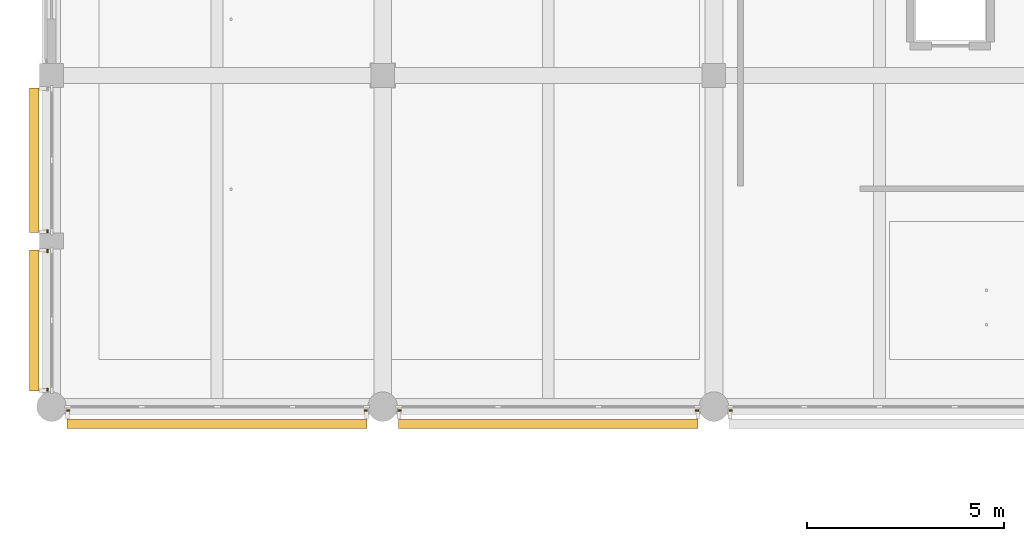
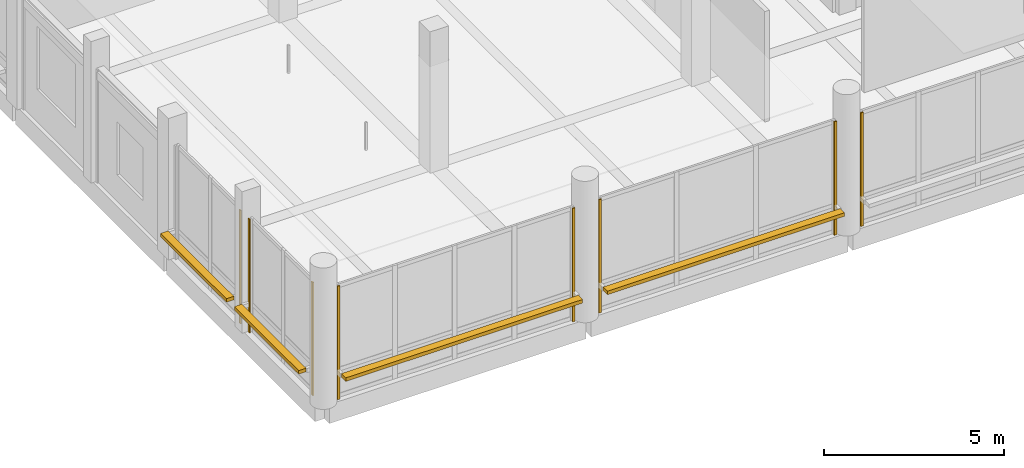
# One storey, part 83 of 122: 8 coverings, 4 shading devices.
"""IFC4 building model written with IfcOpenShell, lengths in metres."""

from ifc_helpers import new_model, si_unit, direction, frame, origin, origin_2d, place, context, subcontext, project, spatial, rectangle, extrude, material, layer, layer_set, type_object, element, save


model = new_model("IFC4")

# Units and contexts
model_context = context("Model", 3, precision=1e-05, world=origin(), true_north=direction((0.0, 1.0)))
body_context = subcontext(model_context, "Body", "Model", "MODEL_VIEW")
ifc_project = project(units=[si_unit("LENGTHUNIT", "METRE"), si_unit("AREAUNIT", "SQUARE_METRE"), si_unit("VOLUMEUNIT", "CUBIC_METRE"), si_unit("PLANEANGLEUNIT", "RADIAN"), si_unit("MASSUNIT", "GRAM", prefix="KILO")], contexts=[model_context])

# Site, building, storey
site_placement = place(None, origin())
site = spatial("IfcSite", under=ifc_project, at=site_placement, CompositionType="ELEMENT")
building_placement = place(site_placement, origin())
building = spatial("IfcBuilding", under=site, at=building_placement, Name="Telukmera Botanical Conservatory", CompositionType="ELEMENT")
storey_placement = place(building_placement, frame((0.0, 0.0, 10.199951171875)))
storey = spatial("IfcBuildingStorey", under=building, at=storey_placement, Name="L02", CompositionType="ELEMENT", Elevation=10.199951171875)

# Coverings
ifc_material_1 = material(Name="Granite-faced precast concrete C40/50", Category="masonry")
ifc_layer_1 = layer(ifc_material_1, 0.0400390625)
ifc_layer_set_1 = layer_set([ifc_layer_1], Name="Granite-faced precast concrete C40/50")
covering_type = type_object("IfcCoveringType", Name="Granite Precast Column Pier Reveal Casing", PredefinedType="CLADDING", material=ifc_layer_set_1)
for number, where, z_axis, x_axis, name in (
    (1, (8.826904296875, 17.5, 0.0), (0.0, 0.0, 1.0), (1.0, 0.0, 0.0), "Granite Pier Reveal V3:L02:S1 L"),
    (2, (16.373046875, 17.5, 0.0), (0.0, 0.0, 1.0), (1.0, 0.0, 0.0), "Granite Pier Reveal V3:L02:S1 R"),
    (3, (17.22705078125, 17.5, 0.0), (0.0, 0.0, 1.0), (1.0, 0.0, 0.0), "Granite Pier Reveal V3:L02:S2 L"),
    (4, (24.77294921875, 17.5, 0.0), (0.0, 0.0, 1.0), (1.0, 0.0, 0.0), "Granite Pier Reveal V3:L02:S2 R"),
    (5, (25.626953125, 17.5, 0.0), (0.0, 0.0, 1.0), (1.0, 0.0, 0.0), "Granite Pier Reveal V3:L02:S3 L"),
    (6, (8.300048828125, 18.027099609375, 0.0), (0.0, 0.0, 1.0), (0.0, 1.0, 0.0), "Granite Pier Reveal V3:L02:W1A L"),
    (7, (8.300048828125, 21.548095703125, 0.0), (0.0, 0.0, 1.0), (0.0, 1.0, 0.0), "Granite Pier Reveal V3:L02:W1A R"),
    (8, (8.300048828125, 22.052001953125, 0.0), (0.0, 0.0, 1.0), (0.0, 1.0, 0.0), "Granite Pier Reveal V3:L02:W1B L"),
):
    element("IfcCovering", number, at=place(storey_placement, frame(where, z_axis=z_axis, x_axis=x_axis)), inside=storey, type_object=covering_type, Name=name, PredefinedType="CLADDING", context=body_context, shape_type="SweptSolid", body=[
        extrude(rectangle(XDim=0.080078125, YDim=0.0400390625, at=origin_2d()), origin(), (0.0, 0.0, 1.0), 3.85009765625),
    ])

# Shading devices
ifc_material_2 = material(Name="Perforated terracotta-anodised aluminium 6063-T6", Category="masonry")
ifc_layer_2 = layer(ifc_material_2, 0.044921875)
ifc_layer_set_2 = layer_set([ifc_layer_2], Name="Perforated terracotta-anodised aluminium 6063-T6")
shading_device_type = type_object("IfcShadingDeviceType", Name="Perforated Terracotta Aluminium Monsoon Brise Soleil", PredefinedType="JALOUSIE", material=ifc_layer_set_2)
for number, where, z_axis, x_axis, name in (
    (9, (12.60009765625, 17.159912109375, 0.889892578125), (0.0, 0.0, 1.0), (1.0, 0.0, 0.0), "Monsoon Shading BS01 V3:L02:S1"),
    (10, (21.0, 17.159912109375, 0.889892578125), (0.0, 0.0, 1.0), (1.0, 0.0, 0.0), "Monsoon Shading BS01 V3:L02:S2"),
):
    element("IfcShadingDevice", number, at=place(storey_placement, frame(where, z_axis=z_axis, x_axis=x_axis)), inside=storey, type_object=shading_device_type, Name=name, PredefinedType="JALOUSIE", context=body_context, shape_type="SweptSolid", body=[
        extrude(rectangle(XDim=7.60595703125, YDim=0.239990234375, at=origin_2d()), origin(), (0.0, 0.0, 1.0), 0.1201171875),
    ])
shading_device_1_placement = place(storey_placement, frame((7.9599609375, 19.78759765625, 0.889892578125), z_axis=(0.0, 0.0, 1.0), x_axis=(0.0, 1.0, 0.0)))
element("IfcShadingDevice", 11, at=shading_device_1_placement, inside=storey, type_object=shading_device_type, Name="Monsoon Shading BS01 V3:L02:W1A", PredefinedType="JALOUSIE", context=body_context, shape_type="SweptSolid", body=[
    extrude(rectangle(XDim=3.5810546875, YDim=0.239990234375, at=origin_2d()), origin(), (0.0, 0.0, 1.0), 0.1201171875),
])
shading_device_2_placement = place(storey_placement, frame((7.9599609375, 23.85009765625, 0.889892578125), z_axis=(0.0, 0.0, 1.0), x_axis=(0.0, 1.0, 0.0)))
element("IfcShadingDevice", 12, at=shading_device_2_placement, inside=storey, type_object=shading_device_type, Name="Monsoon Shading BS01 V3:L02:W1B", PredefinedType="JALOUSIE", context=body_context, shape_type="SweptSolid", body=[
    extrude(rectangle(XDim=3.656005859375, YDim=0.239990234375, at=origin_2d()), origin(), (0.0, 0.0, 1.0), 0.1201171875),
])

save(model, "model.ifc")
